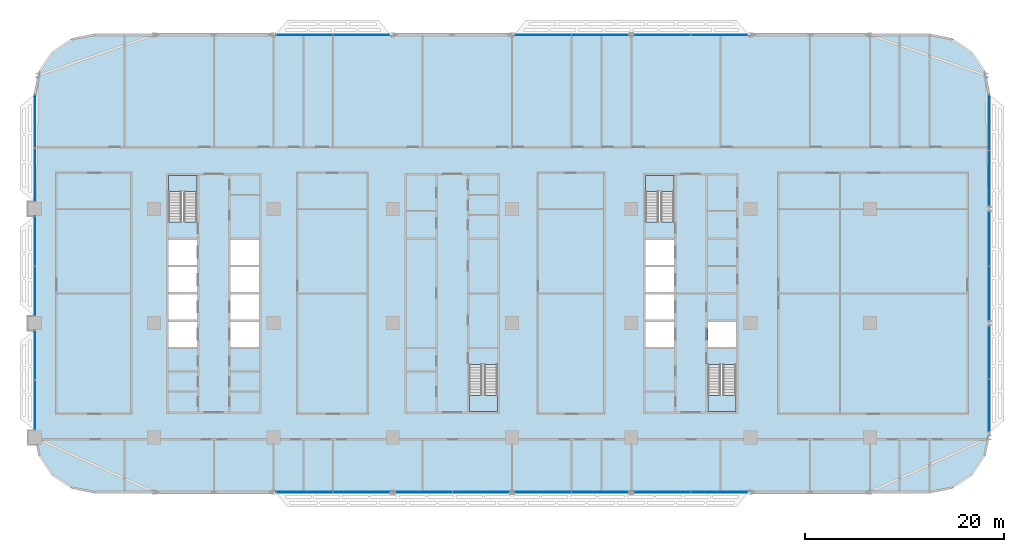
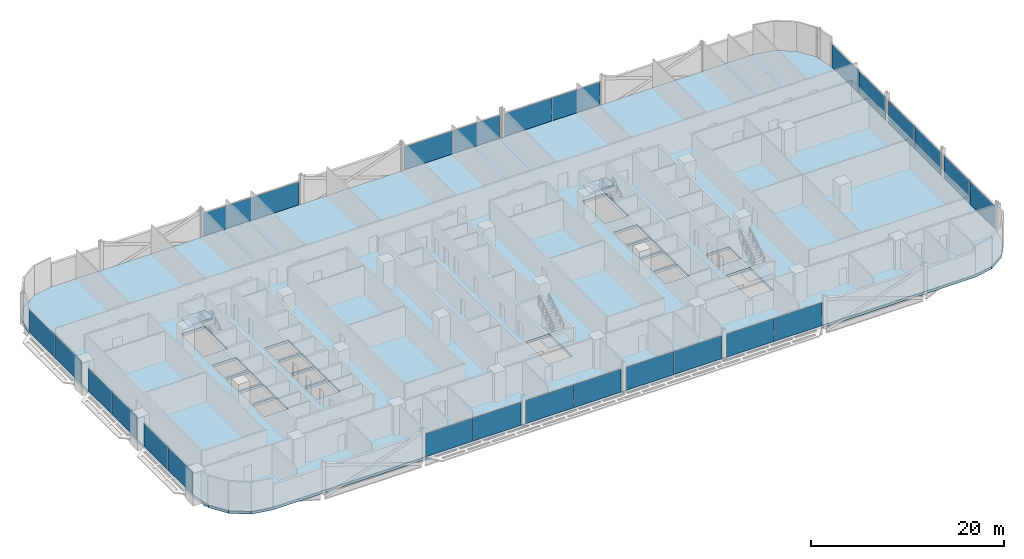
# One storey, part 11 of 29: 26 plates, 5 slabs, 17 elements without a shape of their own.
"""IFC4 building model written with IfcOpenShell, lengths in metres."""

import ifcopenshell
import ifcopenshell.guid

model = None  # the IFC model being written
_history = None  # IfcOwnerHistory: only IFC2X3 demands one
_inside = {}  # id of a spatial element -> (the spatial element, [elements in it])
_under = {}  # id of a project, library or spatial element -> (it, [spatial elements below it])
_declared = {}  # id of a project -> (the project, [libraries it declares])
_typed = {}  # id of a type object -> (the type object, [elements of that type])
_made_of = {}  # id of a material, layer set ... -> (it, [elements and type objects made of it])


def new_model(schema):
    """Start an empty IFC model of exactly this schema.

    Asked for "IFC4X3", IfcOpenShell would pick the latest addendum, in which some entities
    have other attributes; the version numbers below select the first issue.
    IFC2X3 requires an IfcOwnerHistory on every rooted entity: one is made here for all.
    """
    global model, _history
    if schema == "IFC4X3":
        model = ifcopenshell.file(schema_version=(4, 3, 0, 0))
    else:
        model = ifcopenshell.file(schema=schema)
    _inside.clear()
    _under.clear()
    _declared.clear()
    _typed.clear()
    _made_of.clear()
    _history = None
    if model.schema == "IFC2X3":
        org = make("IfcOrganization", Name="unknown")
        user = make(
            "IfcPersonAndOrganization",
            ThePerson=make("IfcPerson", FamilyName="unknown"),
            TheOrganization=org,
        )
        app = make(
            "IfcApplication",
            ApplicationDeveloper=org,
            Version="unknown",
            ApplicationFullName="unknown",
            ApplicationIdentifier="unknown",
        )
        _history = make(
            "IfcOwnerHistory",
            OwningUser=user,
            OwningApplication=app,
            ChangeAction="ADDED",
            CreationDate=0,
        )
    return model


def make(cls, **values):
    """One entity of the class cls with the attributes given. An attribute that is None is left unset."""
    return model.create_entity(
        cls, **{name: value for name, value in values.items() if value is not None}
    )


def rooted(cls, **values):
    """An entity with a GlobalId (a new one), such as an element, a storey or a relation."""
    return make(cls, GlobalId=ifcopenshell.guid.new(), OwnerHistory=_history, **values)


def si_unit(unit_type, name, prefix=None):
    """IfcSIUnit, for example si_unit("LENGTHUNIT", "METRE", prefix="MILLI")."""
    return make("IfcSIUnit", UnitType=unit_type, Prefix=prefix, Name=name)


def assignment(units):
    """IfcUnitAssignment: the units of a project."""
    return None if units is None else make("IfcUnitAssignment", Units=units)


def point(xyz):
    """IfcCartesianPoint."""
    return None if xyz is None else make("IfcCartesianPoint", Coordinates=xyz)


def direction(xyz):
    """IfcDirection."""
    return None if xyz is None else make("IfcDirection", DirectionRatios=xyz)


def frame(location, z_axis=None, x_axis=None):
    """IfcAxis2Placement3D, a coordinate frame: its origin and axes. An axis left out is left unset."""
    return make(
        "IfcAxis2Placement3D",
        Location=point(location),
        Axis=direction(z_axis),
        RefDirection=direction(x_axis),
    )


def frame_2d(location, x_axis=None):
    """IfcAxis2Placement2D, a coordinate frame in the plane: its origin and x axis."""
    return make(
        "IfcAxis2Placement2D", Location=point(location), RefDirection=direction(x_axis)
    )


def origin():
    """The frame at (0, 0, 0) with its axes left unset."""
    return frame((0.0, 0.0, 0.0))


def origin_2d():
    """The frame at (0, 0) in the plane with its x axis left unset."""
    return frame_2d((0.0, 0.0))


def place(relative_to, where):
    """IfcLocalPlacement: puts the frame where relative to a parent placement (None: the world)."""
    return make(
        "IfcLocalPlacement", PlacementRelTo=relative_to, RelativePlacement=where
    )


def context(
    kind, dimensions, precision=None, world=None, true_north=None, identifier=None
):
    """IfcGeometricRepresentationContext, for example the 3D "Model" context."""
    return make(
        "IfcGeometricRepresentationContext",
        ContextIdentifier=identifier,
        ContextType=kind,
        CoordinateSpaceDimension=dimensions,
        Precision=precision,
        WorldCoordinateSystem=world,
        TrueNorth=true_north,
    )


def subcontext(parent, identifier, kind, view, scale=None):
    """IfcGeometricRepresentationSubContext, for example "Body" below "Model"."""
    return make(
        "IfcGeometricRepresentationSubContext",
        ContextIdentifier=identifier,
        ContextType=kind,
        ParentContext=parent,
        TargetScale=scale,
        TargetView=view,
    )


def project(units=None, contexts=None):
    """IfcProject with its units and contexts."""
    return rooted(
        "IfcProject",
        Name="project",
        RepresentationContexts=contexts,
        UnitsInContext=assignment(units),
    )


def spatial(cls, under=None, at=None, **own):
    """A site, building, storey or space (cls), placed at a placement, below another one or the project."""
    s = rooted(cls, ObjectPlacement=at, **own)
    if under is not None:
        _under.setdefault(under.id(), (under, []))[1].append(s)
    return s


def polyline(points):
    """IfcPolyline through the points."""
    return make("IfcPolyline", Points=[point(p) for p in points])


def profile(cls, at=None, kind="AREA", **sizes):
    """A parametric profile (cls). Its sizes go by their IFC names, for example OverallWidth=200.0."""
    return make(cls, ProfileType=kind, Position=at, **sizes)


def rectangle(**sizes):
    """IfcRectangleProfileDef."""
    return profile("IfcRectangleProfileDef", **sizes)


def outline(outer, holes=None, kind="AREA"):
    """IfcArbitraryClosedProfileDef: a profile drawn as a closed curve; with holes, ...WithVoids."""
    if holes is None:
        return make("IfcArbitraryClosedProfileDef", ProfileType=kind, OuterCurve=outer)
    return make(
        "IfcArbitraryProfileDefWithVoids",
        ProfileType=kind,
        OuterCurve=outer,
        InnerCurves=holes,
    )


def extrude(swept, where, along, depth):
    """IfcExtrudedAreaSolid: the profile swept, set in the frame where, extruded along a direction by depth."""
    return make(
        "IfcExtrudedAreaSolid",
        SweptArea=swept,
        Position=where,
        ExtrudedDirection=direction(along),
        Depth=depth,
    )


def shape(context_of_items, identifier, shape_type, items):
    """IfcShapeRepresentation: the items that make up one representation, for example the "Body"."""
    return make(
        "IfcShapeRepresentation",
        ContextOfItems=context_of_items,
        RepresentationIdentifier=identifier,
        RepresentationType=shape_type,
        Items=items,
    )


def material(Name=None, Category=None):
    """IfcMaterial."""
    return make("IfcMaterial", Name=Name, Category=Category)


def layer(
    of_material, thickness, ventilated=None, Name=None, Category=None, Priority=None
):
    """IfcMaterialLayer: one layer of a wall or slab, of a material (None: an air gap)."""
    return make(
        "IfcMaterialLayer",
        Material=of_material,
        LayerThickness=thickness,
        IsVentilated=ventilated,
        Name=Name,
        Category=Category,
        Priority=Priority,
    )


def layer_set(layers, Name=None):
    """IfcMaterialLayerSet."""
    return make("IfcMaterialLayerSet", MaterialLayers=layers, LayerSetName=Name)


def made_of(thing, what):
    """Note that an element or type object is made of a material, layer set ...; save() writes the relation."""
    if what is not None:
        _made_of.setdefault(what.id(), (what, []))[1].append(thing)
    return thing


def type_object(cls, material=None, **own):
    """A type object (cls), such as IfcWallType, which elements share."""
    return made_of(rooted(cls, **own), material)


def element(
    cls,
    number,
    at=None,
    inside=None,
    cuts=None,
    type_object=None,
    material=None,
    context=None,
    identifier="Body",
    shape_type=None,
    held_by="IfcProductDefinitionShape",
    body=None,
    shapes=None,
    **own,
):
    """One element of the class cls, such as IfcWall. Its Tag is "e" and its number.

    at: its placement. inside: the storey or other place that contains it. cuts: it is an
    opening in that element (IfcRelVoidsElement). A single representation is given by context,
    identifier, shape_type and body (its items); several are given by shapes. held_by: the class
    of the entity that holds the representations. save() writes the other relations.
    """
    e = rooted(cls, Tag="e%d" % number, ObjectPlacement=at, **own)
    if body is not None:
        shapes = [shape(context, identifier, shape_type, body)]
    if shapes is not None:
        e.Representation = make(held_by, Representations=shapes)
    if inside is not None:
        _inside.setdefault(inside.id(), (inside, []))[1].append(e)
    if cuts is not None:
        rooted(
            "IfcRelVoidsElement", RelatingBuildingElement=cuts, RelatedOpeningElement=e
        )
    if type_object is not None:
        _typed.setdefault(type_object.id(), (type_object, []))[1].append(e)
    return made_of(e, material)


def aggregate(whole, parts):
    """IfcRelAggregates: a whole, such as a stair, and the parts it consists of."""
    return rooted("IfcRelAggregates", RelatingObject=whole, RelatedObjects=parts)


def save(model, path):
    """Write the relations noted so far, then the file.

    IfcRelAggregates (storeys below a building ...), IfcRelContainedInSpatialStructure (elements
    in a storey), IfcRelDefinesByType, IfcRelAssociatesMaterial and IfcRelDeclares: one each for
    every whole, place, type object, material and project.
    """
    for whole, parts in _under.values():
        aggregate(whole, parts)
    for where, things in _inside.values():
        rooted(
            "IfcRelContainedInSpatialStructure",
            RelatedElements=things,
            RelatingStructure=where,
        )
    for kind, things in _typed.values():
        rooted("IfcRelDefinesByType", RelatedObjects=things, RelatingType=kind)
    for what, things in _made_of.values():
        rooted("IfcRelAssociatesMaterial", RelatedObjects=things, RelatingMaterial=what)
    for by, libraries in _declared.values():
        rooted("IfcRelDeclares", RelatingContext=by, RelatedDefinitions=libraries)
    model.write(path)


model = new_model("IFC4")

# Units and contexts
model_context = context("Model", 3, precision=1e-05, world=origin(), true_north=direction((0.0, 1.0)))
body_context = subcontext(model_context, "Body", "Model", "MODEL_VIEW")
ifc_project = project(units=[si_unit("LENGTHUNIT", "METRE"), si_unit("AREAUNIT", "SQUARE_METRE"), si_unit("VOLUMEUNIT", "CUBIC_METRE"), si_unit("PLANEANGLEUNIT", "RADIAN"), si_unit("MASSUNIT", "GRAM", prefix="KILO")], contexts=[model_context])

# Site, building, storey
site_placement = place(None, origin())
site = spatial("IfcSite", under=ifc_project, at=site_placement, CompositionType="ELEMENT")
building_placement = place(site_placement, origin())
building = spatial("IfcBuilding", under=site, at=building_placement, Name="Mahtab Terrace Research Tower", CompositionType="ELEMENT")
storey_placement = place(building_placement, frame((0.0, 0.0, 109.39990234375)))
storey = spatial("IfcBuildingStorey", under=building, at=storey_placement, Name="L25", CompositionType="ELEMENT", Elevation=109.39990234375)

# Stair, slab
ifc_material_1 = material(Name="Exit stair half-turn")
stair_type = type_object("IfcStairType", Name="Exit stair half-turn", PredefinedType="HALF_TURN_STAIR", material=ifc_material_1)
stair_1_placement = place(storey_placement, origin())
stair_1 = element("IfcStair", 1, at=stair_1_placement, inside=storey, type_object=stair_type, Name="L25 Protected exit stair ST1", PredefinedType="HALF_TURN_STAIR")
ifc_material_2 = material(Name="Concrete C40/50", Category="concrete")
ifc_layer_1 = layer(ifc_material_2, 0.199951171875)
ifc_layer_set_1 = layer_set([ifc_layer_1], Name="Exit stair landing 200")
slab_type_1 = type_object("IfcSlabType", Name="Exit stair landing 200", PredefinedType="LANDING", material=ifc_layer_set_1)
slab_1_placement = place(storey_placement, frame((0.0, 0.0, 1.85009765625)))
slab_1 = element("IfcSlab", 2, at=slab_1_placement, type_object=slab_type_1, Name="ST1 landing 1", PredefinedType="LANDING", context=body_context, shape_type="SweptSolid", body=[
    extrude(outline(polyline([(-25.699951171875, 13.2548828125), (-25.699951171875, 14.875), (-28.550048828125, 14.875), (-28.550048828125, 13.2548828125), (-25.699951171875, 13.2548828125)])), origin(), (0.0, 0.0, 1.0), 0.199951171875),
])
aggregate(stair_1, [slab_1])

stair_2_placement = place(storey_placement, origin())
stair_2 = element("IfcStair", 3, at=stair_2_placement, inside=storey, type_object=stair_type, Name="L25 Protected exit stair ST2", PredefinedType="HALF_TURN_STAIR")
slab_2_placement = place(storey_placement, frame((0.0, 0.0, 1.85009765625)))
slab_2 = element("IfcSlab", 4, at=slab_2_placement, type_object=slab_type_1, Name="ST2 landing 1", PredefinedType="LANDING", context=body_context, shape_type="SweptSolid", body=[
    extrude(outline(polyline([(1.699951171875, -7.2548828125), (1.699951171875, -8.875), (4.550048828125, -8.875), (4.550048828125, -7.2548828125), (1.699951171875, -7.2548828125)])), origin(), (0.0, 0.0, 1.0), 0.199951171875),
])
aggregate(stair_2, [slab_2])

stair_3_placement = place(storey_placement, origin())
stair_3 = element("IfcStair", 5, at=stair_3_placement, inside=storey, type_object=stair_type, Name="L25 Protected exit stair ST3", PredefinedType="HALF_TURN_STAIR")
slab_3_placement = place(storey_placement, frame((0.0, 0.0, 1.85009765625)))
slab_3 = element("IfcSlab", 6, at=slab_3_placement, type_object=slab_type_1, Name="ST3 landing 1", PredefinedType="LANDING", context=body_context, shape_type="SweptSolid", body=[
    extrude(outline(polyline([(22.300048828125, 13.2548828125), (22.300048828125, 14.875), (19.449951171875, 14.875), (19.449951171875, 13.2548828125), (22.300048828125, 13.2548828125)])), origin(), (0.0, 0.0, 1.0), 0.199951171875),
])
aggregate(stair_3, [slab_3])

stair_4_placement = place(storey_placement, origin())
stair_4 = element("IfcStair", 7, at=stair_4_placement, inside=storey, type_object=stair_type, Name="L25 Protected exit stair ST4", PredefinedType="HALF_TURN_STAIR")
slab_4_placement = place(storey_placement, frame((0.0, 0.0, 1.85009765625)))
slab_4 = element("IfcSlab", 8, at=slab_4_placement, type_object=slab_type_1, Name="ST4 landing 1", PredefinedType="LANDING", context=body_context, shape_type="SweptSolid", body=[
    extrude(outline(polyline([(25.699951171875, -7.2548828125), (25.699951171875, -8.875), (28.550048828125, -8.875), (28.550048828125, -7.2548828125), (25.699951171875, -7.2548828125)])), origin(), (0.0, 0.0, 1.0), 0.199951171875),
])
aggregate(stair_4, [slab_4])

# Curtain wall, plates
ifc_material_3 = material(Name="Laboratory ribbon curtain wall")
curtain_wall_type = type_object("IfcCurtainWallType", Name="Laboratory ribbon curtain wall", PredefinedType="NOTDEFINED", material=ifc_material_3)
curtain_wall_1_placement = place(storey_placement, origin())
curtain_wall_1 = element("IfcCurtainWall", 9, at=curtain_wall_1_placement, inside=storey, type_object=curtain_wall_type, Name="EN.L25.3.5", PredefinedType="NOTDEFINED")
ifc_material_4 = material(Name="Dark glazing", Category="glass")
ifc_layer_2 = layer(ifc_material_4, 0.031982421875)
ifc_layer_set_2 = layer_set([ifc_layer_2], Name="Laboratory ribbon curtain wall glazing panel")
plate_type = type_object("IfcPlateType", Name="Laboratory ribbon curtain wall glazing panel", PredefinedType="CURTAIN_PANEL", material=ifc_layer_set_2)
plate_1_placement = place(storey_placement, frame((26.86962890625, 29.0, 0.0), z_axis=(0.0, 0.0, 1.0), x_axis=(-1.0, 0.0, 0.0)))
plate_1 = element("IfcPlate", 10, at=plate_1_placement, type_object=plate_type, Name="CWL-3 panel 1", PredefinedType="CURTAIN_PANEL", context=body_context, shape_type="SweptSolid", body=[
    extrude(rectangle(XDim=5.674560546875, YDim=0.031982421875, at=origin_2d()), origin(), (0.0, 0.0, 1.0), 2.903076171875),
])
plate_2_placement = place(storey_placement, frame((21.13037109375, 29.0, 0.0), z_axis=(0.0, 0.0, 1.0), x_axis=(-1.0, 0.0, 0.0)))
plate_2 = element("IfcPlate", 11, at=plate_2_placement, type_object=plate_type, Name="CWL-3 panel 2", PredefinedType="CURTAIN_PANEL", context=body_context, shape_type="SweptSolid", body=[
    extrude(rectangle(XDim=5.674560546875, YDim=0.031982421875, at=origin_2d()), origin(), (0.0, 0.0, 1.0), 2.903076171875),
])
aggregate(curtain_wall_1, [plate_1, plate_2])

curtain_wall_2_placement = place(storey_placement, origin())
curtain_wall_2 = element("IfcCurtainWall", 12, at=curtain_wall_2_placement, inside=storey, type_object=curtain_wall_type, Name="EN.L25.3.6", PredefinedType="NOTDEFINED")
plate_3_placement = place(storey_placement, frame((14.86962890625, 29.0, 0.0), z_axis=(0.0, 0.0, 1.0), x_axis=(-1.0, 0.0, 0.0)))
plate_3 = element("IfcPlate", 13, at=plate_3_placement, type_object=plate_type, Name="CWL-3 panel 1", PredefinedType="CURTAIN_PANEL", context=body_context, shape_type="SweptSolid", body=[
    extrude(rectangle(XDim=5.674560546875, YDim=0.031982421875, at=origin_2d()), origin(), (0.0, 0.0, 1.0), 2.903076171875),
])
plate_4_placement = place(storey_placement, frame((9.13037109375, 29.0, 0.0), z_axis=(0.0, 0.0, 1.0), x_axis=(-1.0, 0.0, 0.0)))
plate_4 = element("IfcPlate", 14, at=plate_4_placement, type_object=plate_type, Name="CWL-3 panel 2", PredefinedType="CURTAIN_PANEL", context=body_context, shape_type="SweptSolid", body=[
    extrude(rectangle(XDim=5.674560546875, YDim=0.031982421875, at=origin_2d()), origin(), (0.0, 0.0, 1.0), 2.903076171875),
])
aggregate(curtain_wall_2, [plate_3, plate_4])

curtain_wall_3_placement = place(storey_placement, origin())
curtain_wall_3 = element("IfcCurtainWall", 15, at=curtain_wall_3_placement, inside=storey, type_object=curtain_wall_type, Name="EN.L25.3.8", PredefinedType="NOTDEFINED")
plate_5_placement = place(storey_placement, frame((-9.13037109375, 29.0, 0.0), z_axis=(0.0, 0.0, 1.0), x_axis=(-1.0, 0.0, 0.0)))
plate_5 = element("IfcPlate", 16, at=plate_5_placement, type_object=plate_type, Name="CWL-3 panel 1", PredefinedType="CURTAIN_PANEL", context=body_context, shape_type="SweptSolid", body=[
    extrude(rectangle(XDim=5.674560546875, YDim=0.031982421875, at=origin_2d()), origin(), (0.0, 0.0, 1.0), 2.903076171875),
])
plate_6_placement = place(storey_placement, frame((-14.86962890625, 29.0, 0.0), z_axis=(0.0, 0.0, 1.0), x_axis=(-1.0, 0.0, 0.0)))
plate_6 = element("IfcPlate", 17, at=plate_6_placement, type_object=plate_type, Name="CWL-3 panel 2", PredefinedType="CURTAIN_PANEL", context=body_context, shape_type="SweptSolid", body=[
    extrude(rectangle(XDim=5.674560546875, YDim=0.031982421875, at=origin_2d()), origin(), (0.0, 0.0, 1.0), 2.903076171875),
])
aggregate(curtain_wall_3, [plate_5, plate_6])

curtain_wall_4_placement = place(storey_placement, origin())
curtain_wall_4 = element("IfcCurtainWall", 18, at=curtain_wall_4_placement, inside=storey, type_object=curtain_wall_type, Name="EN.L25.8.16", PredefinedType="NOTDEFINED")
plate_7_placement = place(storey_placement, frame((-42.0, 20.28369140625, 0.0), z_axis=(0.0, 0.0, 1.0), x_axis=(0.0, -1.0, 0.0)))
plate_7 = element("IfcPlate", 19, at=plate_7_placement, type_object=plate_type, Name="CWL-3 panel 1", PredefinedType="CURTAIN_PANEL", context=body_context, shape_type="SweptSolid", body=[
    extrude(rectangle(XDim=5.302490234375, YDim=0.031982421875, at=origin_2d()), origin(), (0.0, 0.0, 1.0), 2.903076171875),
])
plate_8_placement = place(storey_placement, frame((-42.0, 14.916259765625, 0.0), z_axis=(0.0, 0.0, 1.0), x_axis=(0.0, -1.0, 0.0)))
plate_8 = element("IfcPlate", 20, at=plate_8_placement, type_object=plate_type, Name="CWL-3 panel 2", PredefinedType="CURTAIN_PANEL", context=body_context, shape_type="SweptSolid", body=[
    extrude(rectangle(XDim=5.302490234375, YDim=0.031982421875, at=origin_2d()), origin(), (0.0, 0.0, 1.0), 2.903076171875),
])
aggregate(curtain_wall_4, [plate_7, plate_8])

curtain_wall_5_placement = place(storey_placement, origin())
curtain_wall_5 = element("IfcCurtainWall", 21, at=curtain_wall_5_placement, inside=storey, type_object=curtain_wall_type, Name="EN.L25.8.17", PredefinedType="NOTDEFINED")
plate_9_placement = place(storey_placement, frame((-42.0, 8.2587890625, 0.0), z_axis=(0.0, 0.0, 1.0), x_axis=(0.0, -1.0, 0.0)))
plate_9 = element("IfcPlate", 22, at=plate_9_placement, type_object=plate_type, Name="CWL-3 panel 1", PredefinedType="CURTAIN_PANEL", context=body_context, shape_type="SweptSolid", body=[
    extrude(rectangle(XDim=4.952392578125, YDim=0.031982421875, at=origin_2d()), origin(), (0.0, 0.0, 1.0), 2.903076171875),
])
plate_10_placement = place(storey_placement, frame((-42.0, 3.2412109375, 0.0), z_axis=(0.0, 0.0, 1.0), x_axis=(0.0, -1.0, 0.0)))
plate_10 = element("IfcPlate", 23, at=plate_10_placement, type_object=plate_type, Name="CWL-3 panel 2", PredefinedType="CURTAIN_PANEL", context=body_context, shape_type="SweptSolid", body=[
    extrude(rectangle(XDim=4.952392578125, YDim=0.031982421875, at=origin_2d()), origin(), (0.0, 0.0, 1.0), 2.903076171875),
])
aggregate(curtain_wall_5, [plate_9, plate_10])

curtain_wall_6_placement = place(storey_placement, origin())
curtain_wall_6 = element("IfcCurtainWall", 24, at=curtain_wall_6_placement, inside=storey, type_object=curtain_wall_type, Name="EN.L25.8.18", PredefinedType="NOTDEFINED")
plate_11_placement = place(storey_placement, frame((-42.0, -3.2412109375, 0.0), z_axis=(0.0, 0.0, 1.0), x_axis=(0.0, -1.0, 0.0)))
plate_11 = element("IfcPlate", 25, at=plate_11_placement, type_object=plate_type, Name="CWL-3 panel 1", PredefinedType="CURTAIN_PANEL", context=body_context, shape_type="SweptSolid", body=[
    extrude(rectangle(XDim=4.952392578125, YDim=0.031982421875, at=origin_2d()), origin(), (0.0, 0.0, 1.0), 2.903076171875),
])
plate_12_placement = place(storey_placement, frame((-42.0, -8.2587890625, 0.0), z_axis=(0.0, 0.0, 1.0), x_axis=(0.0, -1.0, 0.0)))
plate_12 = element("IfcPlate", 26, at=plate_12_placement, type_object=plate_type, Name="CWL-3 panel 2", PredefinedType="CURTAIN_PANEL", context=body_context, shape_type="SweptSolid", body=[
    extrude(rectangle(XDim=4.952392578125, YDim=0.031982421875, at=origin_2d()), origin(), (0.0, 0.0, 1.0), 2.903076171875),
])
aggregate(curtain_wall_6, [plate_11, plate_12])

curtain_wall_7_placement = place(storey_placement, origin())
curtain_wall_7 = element("IfcCurtainWall", 27, at=curtain_wall_7_placement, inside=storey, type_object=curtain_wall_type, Name="EN.L25.13.25", PredefinedType="NOTDEFINED")
plate_13_placement = place(storey_placement, frame((-14.86962890625, -17.0, 0.0), z_axis=(0.0, 0.0, 1.0), x_axis=(1.0, 0.0, 0.0)))
plate_13 = element("IfcPlate", 28, at=plate_13_placement, type_object=plate_type, Name="CWL-3 panel 1", PredefinedType="CURTAIN_PANEL", context=body_context, shape_type="SweptSolid", body=[
    extrude(rectangle(XDim=5.674560546875, YDim=0.031982421875, at=origin_2d()), origin(), (0.0, 0.0, 1.0), 2.903076171875),
])
plate_14_placement = place(storey_placement, frame((-9.13037109375, -17.0, 0.0), z_axis=(0.0, 0.0, 1.0), x_axis=(1.0, 0.0, 0.0)))
plate_14 = element("IfcPlate", 29, at=plate_14_placement, type_object=plate_type, Name="CWL-3 panel 2", PredefinedType="CURTAIN_PANEL", context=body_context, shape_type="SweptSolid", body=[
    extrude(rectangle(XDim=5.674560546875, YDim=0.031982421875, at=origin_2d()), origin(), (0.0, 0.0, 1.0), 2.903076171875),
])
aggregate(curtain_wall_7, [plate_13, plate_14])

curtain_wall_8_placement = place(storey_placement, origin())
curtain_wall_8 = element("IfcCurtainWall", 30, at=curtain_wall_8_placement, inside=storey, type_object=curtain_wall_type, Name="EN.L25.13.26", PredefinedType="NOTDEFINED")
plate_15_placement = place(storey_placement, frame((-2.86962890625, -17.0, 0.0), z_axis=(0.0, 0.0, 1.0), x_axis=(1.0, 0.0, 0.0)))
plate_15 = element("IfcPlate", 31, at=plate_15_placement, type_object=plate_type, Name="CWL-3 panel 1", PredefinedType="CURTAIN_PANEL", context=body_context, shape_type="SweptSolid", body=[
    extrude(rectangle(XDim=5.674560546875, YDim=0.031982421875, at=origin_2d()), origin(), (0.0, 0.0, 1.0), 2.903076171875),
])
plate_16_placement = place(storey_placement, frame((2.86962890625, -17.0, 0.0), z_axis=(0.0, 0.0, 1.0), x_axis=(1.0, 0.0, 0.0)))
plate_16 = element("IfcPlate", 32, at=plate_16_placement, type_object=plate_type, Name="CWL-3 panel 2", PredefinedType="CURTAIN_PANEL", context=body_context, shape_type="SweptSolid", body=[
    extrude(rectangle(XDim=5.674560546875, YDim=0.031982421875, at=origin_2d()), origin(), (0.0, 0.0, 1.0), 2.903076171875),
])
aggregate(curtain_wall_8, [plate_15, plate_16])

curtain_wall_9_placement = place(storey_placement, origin())
curtain_wall_9 = element("IfcCurtainWall", 33, at=curtain_wall_9_placement, inside=storey, type_object=curtain_wall_type, Name="EN.L25.13.27", PredefinedType="NOTDEFINED")
plate_17_placement = place(storey_placement, frame((9.13037109375, -17.0, 0.0), z_axis=(0.0, 0.0, 1.0), x_axis=(1.0, 0.0, 0.0)))
plate_17 = element("IfcPlate", 34, at=plate_17_placement, type_object=plate_type, Name="CWL-3 panel 1", PredefinedType="CURTAIN_PANEL", context=body_context, shape_type="SweptSolid", body=[
    extrude(rectangle(XDim=5.674560546875, YDim=0.031982421875, at=origin_2d()), origin(), (0.0, 0.0, 1.0), 2.903076171875),
])
plate_18_placement = place(storey_placement, frame((14.86962890625, -17.0, 0.0), z_axis=(0.0, 0.0, 1.0), x_axis=(1.0, 0.0, 0.0)))
plate_18 = element("IfcPlate", 35, at=plate_18_placement, type_object=plate_type, Name="CWL-3 panel 2", PredefinedType="CURTAIN_PANEL", context=body_context, shape_type="SweptSolid", body=[
    extrude(rectangle(XDim=5.674560546875, YDim=0.031982421875, at=origin_2d()), origin(), (0.0, 0.0, 1.0), 2.903076171875),
])
aggregate(curtain_wall_9, [plate_17, plate_18])

curtain_wall_10_placement = place(storey_placement, origin())
curtain_wall_10 = element("IfcCurtainWall", 36, at=curtain_wall_10_placement, inside=storey, type_object=curtain_wall_type, Name="EN.L25.13.28", PredefinedType="NOTDEFINED")
plate_19_placement = place(storey_placement, frame((21.13037109375, -17.0, 0.0), z_axis=(0.0, 0.0, 1.0), x_axis=(1.0, 0.0, 0.0)))
plate_19 = element("IfcPlate", 37, at=plate_19_placement, type_object=plate_type, Name="CWL-3 panel 1", PredefinedType="CURTAIN_PANEL", context=body_context, shape_type="SweptSolid", body=[
    extrude(rectangle(XDim=5.674560546875, YDim=0.031982421875, at=origin_2d()), origin(), (0.0, 0.0, 1.0), 2.903076171875),
])
plate_20_placement = place(storey_placement, frame((26.86962890625, -17.0, 0.0), z_axis=(0.0, 0.0, 1.0), x_axis=(1.0, 0.0, 0.0)))
plate_20 = element("IfcPlate", 38, at=plate_20_placement, type_object=plate_type, Name="CWL-3 panel 2", PredefinedType="CURTAIN_PANEL", context=body_context, shape_type="SweptSolid", body=[
    extrude(rectangle(XDim=5.674560546875, YDim=0.031982421875, at=origin_2d()), origin(), (0.0, 0.0, 1.0), 2.903076171875),
])
aggregate(curtain_wall_10, [plate_19, plate_20])

curtain_wall_11_placement = place(storey_placement, origin())
curtain_wall_11 = element("IfcCurtainWall", 39, at=curtain_wall_11_placement, inside=storey, type_object=curtain_wall_type, Name="EN.L25.18.36", PredefinedType="NOTDEFINED")
plate_21_placement = place(storey_placement, frame((54.0, -8.290771484375, 0.0), z_axis=(0.0, 0.0, 1.0), x_axis=(0.0, 1.0, 0.0)))
plate_21 = element("IfcPlate", 40, at=plate_21_placement, type_object=plate_type, Name="CWL-3 panel 1", PredefinedType="CURTAIN_PANEL", context=body_context, shape_type="SweptSolid", body=[
    extrude(rectangle(XDim=5.28857421875, YDim=0.031982421875, at=origin_2d()), origin(), (0.0, 0.0, 1.0), 2.903076171875),
])
plate_22_placement = place(storey_placement, frame((54.0, -2.937255859375, 0.0), z_axis=(0.0, 0.0, 1.0), x_axis=(0.0, 1.0, 0.0)))
plate_22 = element("IfcPlate", 41, at=plate_22_placement, type_object=plate_type, Name="CWL-3 panel 2", PredefinedType="CURTAIN_PANEL", context=body_context, shape_type="SweptSolid", body=[
    extrude(rectangle(XDim=5.28857421875, YDim=0.031982421875, at=origin_2d()), origin(), (0.0, 0.0, 1.0), 2.903076171875),
])
aggregate(curtain_wall_11, [plate_21, plate_22])

curtain_wall_12_placement = place(storey_placement, origin())
curtain_wall_12 = element("IfcCurtainWall", 42, at=curtain_wall_12_placement, inside=storey, type_object=curtain_wall_type, Name="EN.L25.18.37", PredefinedType="NOTDEFINED")
plate_23_placement = place(storey_placement, frame((54.0, 3.00537109375, 0.0), z_axis=(0.0, 0.0, 1.0), x_axis=(0.0, 1.0, 0.0)))
plate_23 = element("IfcPlate", 43, at=plate_23_placement, type_object=plate_type, Name="CWL-3 panel 1", PredefinedType="CURTAIN_PANEL", context=body_context, shape_type="SweptSolid", body=[
    extrude(rectangle(XDim=5.424560546875, YDim=0.031982421875, at=origin_2d()), origin(), (0.0, 0.0, 1.0), 2.903076171875),
])
plate_24_placement = place(storey_placement, frame((54.0, 8.49462890625, 0.0), z_axis=(0.0, 0.0, 1.0), x_axis=(0.0, 1.0, 0.0)))
plate_24 = element("IfcPlate", 44, at=plate_24_placement, type_object=plate_type, Name="CWL-3 panel 2", PredefinedType="CURTAIN_PANEL", context=body_context, shape_type="SweptSolid", body=[
    extrude(rectangle(XDim=5.424560546875, YDim=0.031982421875, at=origin_2d()), origin(), (0.0, 0.0, 1.0), 2.903076171875),
])
aggregate(curtain_wall_12, [plate_23, plate_24])

curtain_wall_13_placement = place(storey_placement, origin())
curtain_wall_13 = element("IfcCurtainWall", 45, at=curtain_wall_13_placement, inside=storey, type_object=curtain_wall_type, Name="EN.L25.18.38", PredefinedType="NOTDEFINED")
plate_25_placement = place(storey_placement, frame((54.0, 14.562255859375, 0.0), z_axis=(0.0, 0.0, 1.0), x_axis=(0.0, 1.0, 0.0)))
plate_25 = element("IfcPlate", 46, at=plate_25_placement, type_object=plate_type, Name="CWL-3 panel 1", PredefinedType="CURTAIN_PANEL", context=body_context, shape_type="SweptSolid", body=[
    extrude(rectangle(XDim=5.53857421875, YDim=0.031982421875, at=origin_2d()), origin(), (0.0, 0.0, 1.0), 2.903076171875),
])
plate_26_placement = place(storey_placement, frame((54.0, 20.165771484375, 0.0), z_axis=(0.0, 0.0, 1.0), x_axis=(0.0, 1.0, 0.0)))
plate_26 = element("IfcPlate", 47, at=plate_26_placement, type_object=plate_type, Name="CWL-3 panel 2", PredefinedType="CURTAIN_PANEL", context=body_context, shape_type="SweptSolid", body=[
    extrude(rectangle(XDim=5.53857421875, YDim=0.031982421875, at=origin_2d()), origin(), (0.0, 0.0, 1.0), 2.903076171875),
])
aggregate(curtain_wall_13, [plate_25, plate_26])

# Slab
ifc_layer_3 = layer(ifc_material_2, 0.340087890625)
ifc_layer_set_3 = layer_set([ifc_layer_3], Name="PT flat slab 340")
slab_type_2 = type_object("IfcSlabType", Name="PT flat slab 340", PredefinedType="FLOOR", material=ifc_layer_set_3)
slab_5_placement = place(storey_placement, frame((0.0, 0.0, -0.33984375)))
element("IfcSlab", 48, at=slab_5_placement, inside=storey, type_object=slab_type_2, Name="Floor slab L25", PredefinedType="FLOOR", context=body_context, shape_type="SweptSolid", body=[
    extrude(outline(polyline([(53.54296875, 25.2958984375), (52.242919921875, 27.242919921875), (50.2958984375, 28.54296875), (48.0, 29.0), (-36.0, 29.0), (-38.2958984375, 28.54296875), (-40.242919921875, 27.242919921875), (-41.54296875, 25.2958984375), (-42.0, 23.0), (-42.0, -11.0), (-41.54296875, -13.2958984375), (-40.242919921875, -15.242919921875), (-38.2958984375, -16.54296875), (-36.0, -17.0), (48.0, -17.0), (50.2958984375, -16.54296875), (52.242919921875, -15.242919921875), (53.54296875, -13.2958984375), (54.0, -11.0), (54.0, 23.0), (53.54296875, 25.2958984375)]), holes=[polyline([(-28.550048828125, -2.375), (-28.550048828125, 0.125), (-25.699951171875, 0.125), (-25.699951171875, -2.375), (-28.550048828125, -2.375)]), polyline([(-22.300048828125, -2.375), (-22.300048828125, 0.125), (-19.449951171875, 0.125), (-19.449951171875, -2.375), (-22.300048828125, -2.375)]), polyline([(-28.550048828125, 0.375), (-28.550048828125, 2.875), (-25.699951171875, 2.875), (-25.699951171875, 0.375), (-28.550048828125, 0.375)]), polyline([(-22.300048828125, 0.375), (-22.300048828125, 2.875), (-19.449951171875, 2.875), (-19.449951171875, 0.375), (-22.300048828125, 0.375)]), polyline([(-28.550048828125, 3.125), (-28.550048828125, 5.625), (-25.699951171875, 5.625), (-25.699951171875, 3.125), (-28.550048828125, 3.125)]), polyline([(-22.300048828125, 3.125), (-22.300048828125, 5.625), (-19.449951171875, 5.625), (-19.449951171875, 3.125), (-22.300048828125, 3.125)]), polyline([(-28.550048828125, 5.875), (-28.550048828125, 8.375), (-25.699951171875, 8.375), (-25.699951171875, 5.875), (-28.550048828125, 5.875)]), polyline([(-22.300048828125, 5.875), (-22.300048828125, 8.375), (-19.449951171875, 8.375), (-19.449951171875, 5.875), (-22.300048828125, 5.875)]), polyline([(-28.550048828125, 10.177001953125), (-28.550048828125, 14.875), (-25.699951171875, 14.875), (-25.699951171875, 10.177001953125), (-28.550048828125, 10.177001953125)]), polyline([(1.699951171875, -8.875), (1.699951171875, -4.177001953125), (4.550048828125, -4.177001953125), (4.550048828125, -8.875), (1.699951171875, -8.875)]), polyline([(25.699951171875, -8.875), (25.699951171875, -4.177001953125), (28.550048828125, -4.177001953125), (28.550048828125, -8.875), (25.699951171875, -8.875)]), polyline([(19.449951171875, -2.375), (19.449951171875, 0.125), (22.300048828125, 0.125), (22.300048828125, -2.375), (19.449951171875, -2.375)]), polyline([(25.699951171875, -2.375), (25.699951171875, 0.125), (28.550048828125, 0.125), (28.550048828125, -2.375), (25.699951171875, -2.375)]), polyline([(19.449951171875, 0.375), (19.449951171875, 2.875), (22.300048828125, 2.875), (22.300048828125, 0.375), (19.449951171875, 0.375)]), polyline([(19.449951171875, 3.125), (19.449951171875, 5.625), (22.300048828125, 5.625), (22.300048828125, 3.125), (19.449951171875, 3.125)]), polyline([(19.449951171875, 8.375), (22.300048828125, 8.375), (22.300048828125, 5.875), (19.449951171875, 5.875), (19.449951171875, 8.375)]), polyline([(19.449951171875, 14.875), (22.300048828125, 14.875), (22.300048828125, 10.177001953125), (19.449951171875, 10.177001953125), (19.449951171875, 14.875)])]), origin(), (0.0, 0.0, 1.0), 0.33984375),
])

save(model, "model.ifc")
